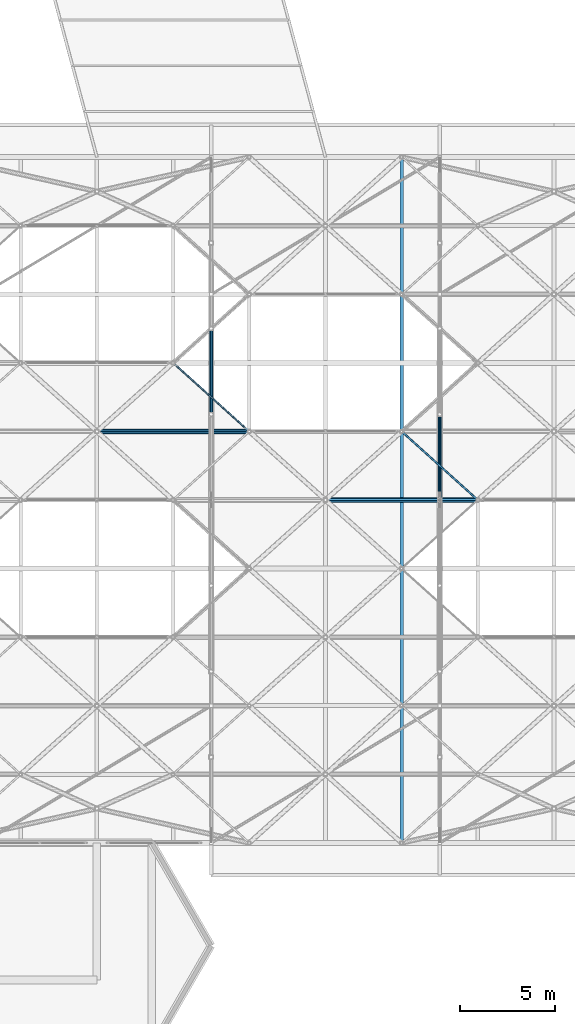
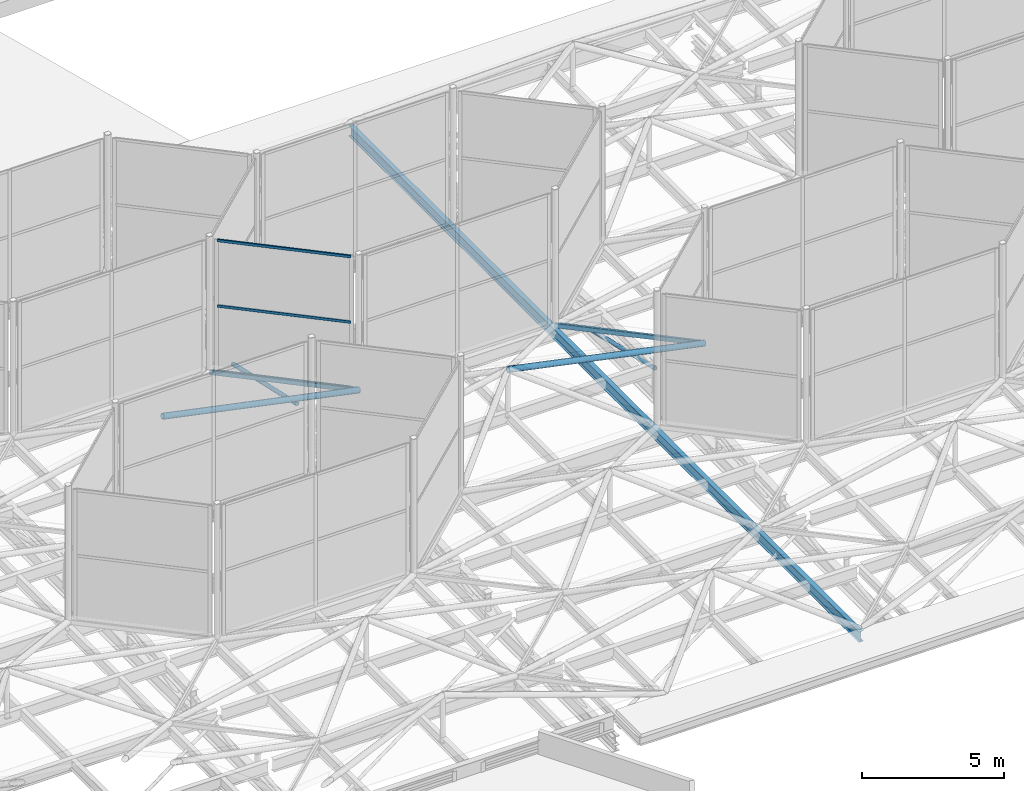
# One storey, part 85 of 239: 7 members, 3 beams, 1 element without a shape of its own.
"""IFC4 building model written with IfcOpenShell, lengths in metres."""

from ifc_helpers import new_model, si_unit, direction, frame, origin, origin_2d, place, context, subcontext, project, spatial, hollow_rectangle, hollow_circle, i_section, extrude, material, layer, layer_set, material_profile, profile_set, type_object, element, aggregate, save


model = new_model("IFC4")

# Units and contexts
model_context = context("Model", 3, precision=1e-05, world=origin(), true_north=direction((0.0, 1.0)))
body_context = subcontext(model_context, "Body", "Model", "MODEL_VIEW")
ifc_project = project(units=[si_unit("LENGTHUNIT", "METRE"), si_unit("AREAUNIT", "SQUARE_METRE"), si_unit("VOLUMEUNIT", "CUBIC_METRE"), si_unit("PLANEANGLEUNIT", "RADIAN"), si_unit("MASSUNIT", "GRAM", prefix="KILO")], contexts=[model_context])

# Site, building, storey
site_placement = place(None, origin())
site = spatial("IfcSite", under=ifc_project, at=site_placement, CompositionType="ELEMENT")
building_placement = place(site_placement, origin())
building = spatial("IfcBuilding", under=site, at=building_placement, Name="Dunvalen Ferry Terminal", CompositionType="ELEMENT")
storey_placement = place(building_placement, frame((0.0, 0.0, 9.840087890625)))
storey = spatial("IfcBuildingStorey", under=building, at=storey_placement, Name="L02", CompositionType="ELEMENT", Elevation=9.840087890625)

# Curtain wall, members
ifc_material_1 = material(Name="Anodised marine aluminium and solar-control glazing", Category="aluminium")
ifc_layer = layer(ifc_material_1, 0.179931640625, Name="Anodised marine aluminium and solar-control glazing")
ifc_layer_set = layer_set([ifc_layer], Name="Anodised marine aluminium and solar-control glazing")
curtain_wall_type = type_object("IfcCurtainWallType", Name="ENV-CW-SYS-05", PredefinedType="NOTDEFINED", material=ifc_layer_set)
curtain_wall_placement = place(storey_placement, origin())
curtain_wall = element("IfcCurtainWall", 1, at=curtain_wall_placement, inside=storey, type_object=curtain_wall_type, Name="L02 Curtain Wall CW-HEX-21-SK-1", PredefinedType="NOTDEFINED")
ifc_material_2 = material(Name="Anodised marine aluminium EN AW-6063 T6", Category="aluminium")
ifc_material_profile_1 = material_profile(ifc_material_2, hollow_rectangle(XDim=0.06005859375, YDim=0.114990234375, WallThickness=0.0029296875, InnerFilletRadius=0.0029296875, OuterFilletRadius=0.006103515625, at=origin_2d()), Name="Anodised marine aluminium EN AW-6063 T6")
ifc_profile_set_1 = profile_set([ifc_material_profile_1], Name="Anodised marine aluminium EN AW-6063 T6")
member_type_1 = type_object("IfcMemberType", Name="ENV-CW-TRN-3", PredefinedType="USERDEFINED", material=ifc_profile_set_1)
member_1_placement = place(storey_placement, frame((34.2080078125, 75.41259765625, 1.169921875), z_axis=(0.743319323261, -0.668936756104, 0.0), x_axis=(0.668936756104, 0.743319323261, 0.0)))
member_1 = element("IfcMember", 2, at=member_1_placement, type_object=member_type_1, Name="CW-05 transom 1.1", ObjectType="TRANSOM", PredefinedType="USERDEFINED", context=body_context, shape_type="SweptSolid", body=[
    extrude(hollow_rectangle(XDim=0.06005859375, YDim=0.114990234375, WallThickness=0.0029296875, InnerFilletRadius=0.0029296875, OuterFilletRadius=0.006103515625, at=origin_2d()), origin(), (0.0, 0.0, 1.0), 4.821533203125),
])
member_2_placement = place(storey_placement, frame((34.2080078125, 75.41259765625, 3.989990234375), z_axis=(0.743319323261, -0.668936756104, 0.0), x_axis=(0.668936756104, 0.743319323261, 0.0)))
member_2 = element("IfcMember", 3, at=member_2_placement, type_object=member_type_1, Name="CW-05 transom 1.2", ObjectType="TRANSOM", PredefinedType="USERDEFINED", context=body_context, shape_type="SweptSolid", body=[
    extrude(hollow_rectangle(XDim=0.06005859375, YDim=0.114990234375, WallThickness=0.0029296875, InnerFilletRadius=0.0029296875, OuterFilletRadius=0.006103515625, at=origin_2d()), origin(), (0.0, 0.0, 1.0), 4.821533203125),
])
member_3_placement = place(storey_placement, frame((34.2080078125, 75.41259765625, 6.809814453125), z_axis=(0.743319323261, -0.668936756104, 0.0), x_axis=(0.668936756104, 0.743319323261, 0.0)))
member_3 = element("IfcMember", 4, at=member_3_placement, type_object=member_type_1, Name="CW-05 transom 1.3", ObjectType="TRANSOM", PredefinedType="USERDEFINED", context=body_context, shape_type="SweptSolid", body=[
    extrude(hollow_rectangle(XDim=0.06005859375, YDim=0.114990234375, WallThickness=0.0029296875, InnerFilletRadius=0.0029296875, OuterFilletRadius=0.006103515625, at=origin_2d()), origin(), (0.0, 0.0, 1.0), 4.821533203125),
])
aggregate(curtain_wall, [member_1, member_2, member_3])

# Beams
ifc_material_3 = material(Name="Steel S355", Category="steel")
ifc_material_profile_2 = material_profile(ifc_material_3, hollow_rectangle(XDim=0.10009765625, YDim=0.199951171875, WallThickness=0.008056640625, InnerFilletRadius=0.008056640625, OuterFilletRadius=0.01611328125, at=origin_2d()), Name="Steel S355")
ifc_profile_set_2 = profile_set([ifc_material_profile_2], Name="Steel S355")
beam_type_1 = type_object("IfcBeamType", Name="STR-BM-RHS200", PredefinedType="BEAM", material=ifc_profile_set_2)
for number, where, z_axis, x_axis, name in (
    (5, (38.0, 72.0, 1.099853515625), (-0.743285123004, 0.668974757313, 0.0), (-0.668974757313, -0.743285123004, 0.0), "HEX-15 Hexagonal Rim Beam 4"),
    (6, (50.0, 68.39990234375, 1.099853515625), (-0.743285123004, 0.668974757313, 0.0), (-0.668974757313, -0.743285123004, 0.0), "HEX-20 Hexagonal Rim Beam 4"),
):
    element("IfcBeam", number, at=place(storey_placement, frame(where, z_axis=z_axis, x_axis=x_axis)), inside=storey, type_object=beam_type_1, Name=name, PredefinedType="BEAM", context=body_context, shape_type="SweptSolid", body=[
        extrude(hollow_rectangle(XDim=0.10009765625, YDim=0.199951171875, WallThickness=0.008056640625, InnerFilletRadius=0.008056640625, OuterFilletRadius=0.01611328125, at=origin_2d()), origin(), (0.0, 0.0, 1.0), 5.381591796875),
    ])
ifc_material_profile_3 = material_profile(ifc_material_3, i_section(OverallWidth=0.1904296875, OverallDepth=0.45703125, WebThickness=0.009033203125, FlangeThickness=0.014404296875, FilletRadius=0.01025390625, at=origin_2d()), Name="Steel S355")
ifc_profile_set_3 = profile_set([ifc_material_profile_3], Name="Steel S355")
beam_type_2 = type_object("IfcBeamType", Name="STR-BM-UKB457", PredefinedType="BEAM", material=ifc_profile_set_3)
beam_placement = place(storey_placement, frame((46.0, 50.39990234375, 0.771484375), z_axis=(0.0, 1.0, 0.0), x_axis=(-1.0, 0.0, 0.0)))
element("IfcBeam", 7, at=beam_placement, inside=storey, type_object=beam_type_2, Name="Departure Hall Hex-Grid Cross Beam B3.3", PredefinedType="BEAM", context=body_context, shape_type="SweptSolid", body=[
    extrude(i_section(OverallWidth=0.1904296875, OverallDepth=0.45703125, WebThickness=0.009033203125, FlangeThickness=0.014404296875, FilletRadius=0.01025390625, at=origin_2d()), origin(), (0.0, 0.0, 1.0), 36.0),
])

# Members
ifc_material_profile_4 = material_profile(ifc_material_3, hollow_circle(Radius=0.084228515625, WallThickness=0.008056640625, at=origin_2d()), Name="Steel S355")
ifc_profile_set_4 = profile_set([ifc_material_profile_4], Name="Steel S355")
member_type_2 = type_object("IfcMemberType", Name="STR-MB-CHS168", PredefinedType="BRACE", material=ifc_profile_set_4)
member_4_placement = place(storey_placement, frame((36.0, 72.89990234375, 0.65869140625), z_axis=(0.0, 0.975316524259, -0.220811407104), x_axis=(-1.0, 0.0, 0.0)))
element("IfcMember", 8, at=member_4_placement, inside=storey, type_object=member_type_2, Name="Departure Hall Arch Web Diagonal 03.6", PredefinedType="BRACE", context=body_context, shape_type="SweptSolid", body=[
    extrude(hollow_circle(Radius=0.084228515625, WallThickness=0.008056640625, at=origin_2d()), origin(), (0.0, 0.0, 1.0), 4.61376953125),
])
member_5_placement = place(storey_placement, frame((48.0, 68.39990234375, 0.719970703125), z_axis=(0.0, 0.972383470914, -0.233388914677), x_axis=(-1.0, 0.0, 0.0)))
element("IfcMember", 9, at=member_5_placement, inside=storey, type_object=member_type_2, Name="Departure Hall Arch Web Diagonal 04.5", PredefinedType="BRACE", context=body_context, shape_type="SweptSolid", body=[
    extrude(hollow_circle(Radius=0.084228515625, WallThickness=0.008056640625, at=origin_2d()), origin(), (0.0, 0.0, 1.0), 4.627685546875),
])
ifc_material_profile_5 = material_profile(ifc_material_3, hollow_circle(Radius=0.122314453125, WallThickness=0.010009765625, at=origin_2d()), Name="Steel S355")
ifc_profile_set_5 = profile_set([ifc_material_profile_5], Name="Steel S355")
member_type_3 = type_object("IfcMemberType", Name="STR-MB-CHS244", PredefinedType="STRUT", material=ifc_profile_set_5)
for number, where, z_axis, x_axis, name in (
    (10, (38.0, 72.0, 1.099853515625), (-0.979020171275, 0.0, 0.203763353518), (0.0, -1.0, 0.0), "HEX-15 Pyramid Hip Rafter 4"),
    (11, (50.0, 68.39990234375, 1.099853515625), (-0.979020171275, 0.0, 0.203763353518), (0.0, -1.0, 0.0), "HEX-20 Pyramid Hip Rafter 4"),
):
    element("IfcMember", number, at=place(storey_placement, frame(where, z_axis=z_axis, x_axis=x_axis)), inside=storey, type_object=member_type_3, Name=name, PredefinedType="STRUT", context=body_context, shape_type="SweptSolid", body=[
        extrude(hollow_circle(Radius=0.122314453125, WallThickness=0.010009765625, at=origin_2d()), origin(), (0.0, 0.0, 1.0), 8.17138671875),
    ])

save(model, "model.ifc")
